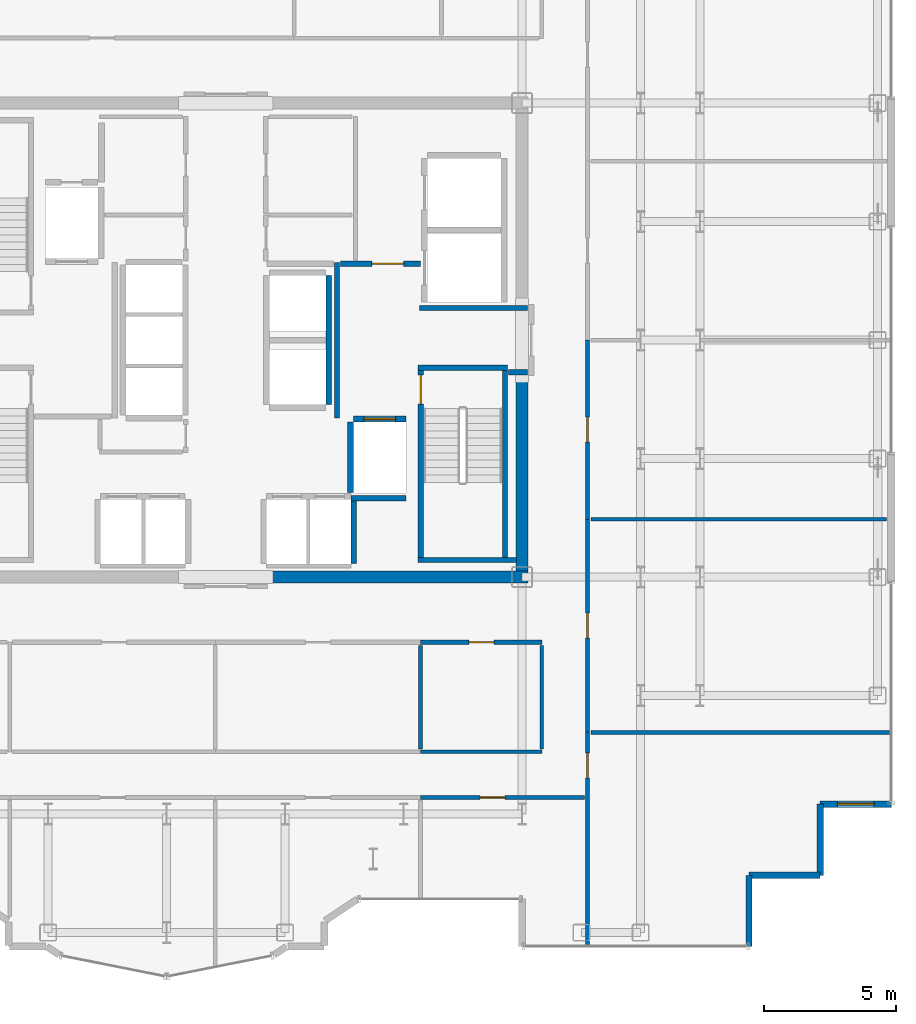
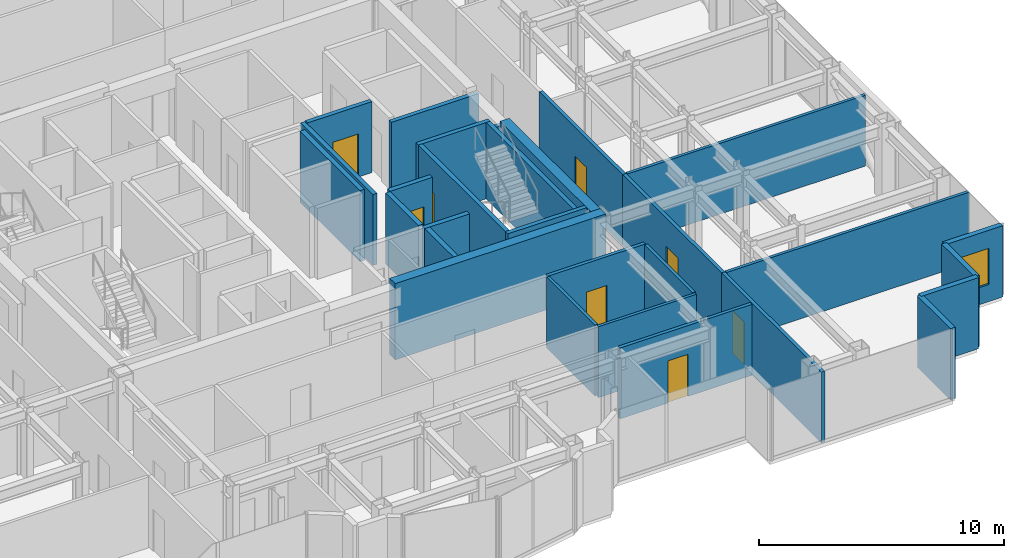
# One storey, part 16 of 21: 29 walls, 8 doors, 1 window, 9 openings.
"""IFC4 building model written with IfcOpenShell, lengths in metres."""

from ifc_helpers import new_model, si_unit, direction, frame, frame_2d, origin, place, context, subcontext, project, spatial, rectangle, extrude, source, transform, mapped, material, layer, layer_set, type_object, element, fill, save


model = new_model("IFC4")

# Units and contexts
model_context = context("Model", 3, precision=1e-05, world=origin(), true_north=direction((0.0, 1.0)))
body_context = subcontext(model_context, "Body", "Model", "MODEL_VIEW")
ifc_project = project(units=[si_unit("LENGTHUNIT", "METRE"), si_unit("AREAUNIT", "SQUARE_METRE"), si_unit("VOLUMEUNIT", "CUBIC_METRE"), si_unit("PLANEANGLEUNIT", "RADIAN"), si_unit("MASSUNIT", "GRAM", prefix="KILO")], contexts=[model_context])

# Site, building, storey
site_placement = place(None, origin())
site = spatial("IfcSite", under=ifc_project, at=site_placement, CompositionType="ELEMENT")
building_placement = place(site_placement, origin())
building = spatial("IfcBuilding", under=site, at=building_placement, Name="Nefas-Gora Pilgrimage Tower", CompositionType="ELEMENT")
storey_placement = place(building_placement, frame((0.0, 0.0, 206.60009765625)))
storey = spatial("IfcBuildingStorey", under=building, at=storey_placement, Name="L51", CompositionType="ELEMENT", Elevation=206.60009765625)

# Walls
ifc_material_1 = material(Name="Concrete C50/60", Category="concrete")
ifc_layer_1 = layer(ifc_material_1, 0.449951171875)
ifc_layer_set_1 = layer_set([ifc_layer_1], Name="Concrete C50/60")
wall_type_1 = type_object("IfcWallType", Name="SW-CORE-450", PredefinedType="SHEAR", material=ifc_layer_set_1)
shared_shape_1 = source(origin(), body_context, "Body", "SweptSolid", [
    extrude(rectangle(XDim=9.925048828125, YDim=0.449951171875, at=frame_2d((4.96240234375, 0.0))), origin(), (0.0, 0.0, 1.0), 3.7998046875),
])
wall_1_placement = place(storey_placement, frame((1.550048828125, -9.0, 0.0), z_axis=(0.0, 0.0, 1.0), x_axis=(1.0, 0.0, 0.0)))
element("IfcWall", 1, at=wall_1_placement, inside=storey, type_object=wall_type_1, Name="L51 Core Shear Wall S-East", PredefinedType="SHEAR", context=body_context, shape_type="MappedRepresentation", body=[
    mapped(shared_shape_1, transform((0.0, 0.0, 0.0), x_axis=(1.0, 0.0, 0.0), y_axis=(0.0, 1.0, 0.0), z_axis=(0.0, 0.0, 1.0), scale=1.0)),
])
shared_shape_2 = source(origin(), body_context, "Body", "SweptSolid", [
    extrude(rectangle(XDim=7.4248046875, YDim=0.449951171875, at=frame_2d((3.71240234375, 0.0))), origin(), (0.0, 0.0, 1.0), 3.7998046875),
])
wall_2_placement = place(storey_placement, frame((11.25, -8.77490234375, 0.0), z_axis=(0.0, 0.0, 1.0), x_axis=(0.0, 1.0, 0.0)))
element("IfcWall", 2, at=wall_2_placement, inside=storey, type_object=wall_type_1, Name="L51 Core Shear Wall E-South", PredefinedType="SHEAR", context=body_context, shape_type="MappedRepresentation", body=[
    mapped(shared_shape_2, transform((0.0, 0.0, 0.0), x_axis=(1.0, 0.0, 0.0), y_axis=(0.0, 1.0, 0.0), z_axis=(0.0, 0.0, 1.0), scale=1.0)),
])
ifc_material_2 = material(Name="Precast concrete C45/55", Category="concrete")
ifc_layer_2 = layer(ifc_material_2, 0.239990234375)
ifc_layer_set_2 = layer_set([ifc_layer_2], Name="Precast concrete C45/55")
wall_type_2 = type_object("IfcWallType", Name="EW-SERR-240", PredefinedType="SHEAR", material=ifc_layer_set_2)
shared_shape_3 = source(origin(), body_context, "Body", "SweptSolid", [
    extrude(rectangle(XDim=2.699951171875, YDim=0.239990234375, at=frame_2d((1.35009765625, 0.0))), origin(), (0.0, 0.0, 1.0), 3.5498046875),
])
for number, where, z_axis, x_axis, name in (
    (3, (19.8701171875, -23.02001953125, 0.0), (0.0, 0.0, 1.0), (0.0, 1.0, 0.0), "L51 Serrated Corner Shear Pier Wall 6"),
    (4, (19.8701171875, -20.320068359375, 0.0), (0.0, 0.0, 1.0), (1.0, 0.0, 0.0), "L51 Serrated Corner Shear Pier Wall 7"),
    (5, (22.570068359375, -20.320068359375, 0.0), (0.0, 0.0, 1.0), (0.0, 1.0, 0.0), "L51 Serrated Corner Shear Pier Wall 8"),
):
    element("IfcWall", number, at=place(storey_placement, frame(where, z_axis=z_axis, x_axis=x_axis)), inside=storey, type_object=wall_type_2, Name=name, PredefinedType="SHEAR", context=body_context, shape_type="MappedRepresentation", body=[
        mapped(shared_shape_3, transform((0.0, 0.0, 0.0), x_axis=(1.0, 0.0, 0.0), y_axis=(0.0, 1.0, 0.0), z_axis=(0.0, 0.0, 1.0), scale=1.0)),
    ])

# Wall, opening, window
wall_3_placement = place(storey_placement, frame((22.570068359375, -17.6201171875, 0.0), z_axis=(0.0, 0.0, 1.0), x_axis=(1.0, 0.0, 0.0)))
wall_3 = element("IfcWall", 6, at=wall_3_placement, inside=storey, type_object=wall_type_2, Name="L51 Serrated Corner Shear Pier Wall 9", PredefinedType="SHEAR", context=body_context, shape_type="MappedRepresentation", body=[
    mapped(shared_shape_3, transform((0.0, 0.0, 0.0), x_axis=(1.0, 0.0, 0.0), y_axis=(0.0, 1.0, 0.0), z_axis=(0.0, 0.0, 1.0), scale=1.0)),
])
opening_1_placement = place(wall_3_placement, frame((0.64990234375, 0.0, 0.85009765625)))
opening_1 = element("IfcOpeningElement", 7, at=opening_1_placement, cuts=wall_3, Name="Opening W-V2", PredefinedType="OPENING", context=body_context, shape_type="SweptSolid", body=[
    extrude(rectangle(XDim=1.39990234375, YDim=1.800048828125, at=frame_2d((0.699951171875, 0.89990234375))), frame((0.0, 0.1298828125, 0.0), z_axis=(0.0, -1.0, 0.0), x_axis=(1.0, 0.0, 0.0)), (0.0, 0.0, 1.0), 0.260009765625),
])
ifc_material_3 = material(Name="Dark ceramic-fritted operable aluminium-glass window", Category="aluminium")
window_type = type_object("IfcWindowType", Name="WIN-VENT-1400x1800", PartitioningType="SINGLE_PANEL", PredefinedType="WINDOW", material=ifc_material_3)
shared_shape_4 = source(origin(), body_context, "Body", "SweptSolid", [
    extrude(rectangle(XDim=1.39990234375, YDim=1.800048828125, at=frame_2d((0.699951171875, 0.89990234375))), frame((0.0, 0.030029296875, 0.0), z_axis=(0.0, -1.0, 0.0), x_axis=(1.0, 0.0, 0.0)), (0.0, 0.0, 1.0), 0.06005859375),
])
window_placement = place(opening_1_placement, origin())
window = element("IfcWindow", 8, at=window_placement, inside=storey, type_object=window_type, Name="L51 Operable Parallel-Outswing Window 9", OverallHeight=1.800048828125, OverallWidth=1.39990234375, PartitioningType="SINGLE_PANEL", PredefinedType="WINDOW", context=body_context, shape_type="MappedRepresentation", body=[
    mapped(shared_shape_4, transform((0.0, 0.0, 0.0), x_axis=(1.0, 0.0, 0.0), y_axis=(0.0, 1.0, 0.0), z_axis=(0.0, 0.0, 1.0), scale=1.0)),
])
fill(opening_1, window)

# Wall
ifc_material_4 = material(Name="Concrete C45/55", Category="concrete")
ifc_layer_3 = layer(ifc_material_4, 0.199951171875)
ifc_layer_set_3 = layer_set([ifc_layer_3], Name="Concrete C45/55")
wall_type_3 = type_object("IfcWallType", Name="IW-STAIR-200", PredefinedType="SOLIDWALL", material=ifc_layer_set_3)
shared_shape_5 = source(origin(), body_context, "Body", "SweptSolid", [
    extrude(rectangle(XDim=3.39990234375, YDim=0.199951171875, at=frame_2d((1.699951171875, 0.0))), origin(), (0.0, 0.0, 1.0), 3.7998046875),
])
wall_4_placement = place(storey_placement, frame((7.300048828125, -1.050048828125, 0.0), z_axis=(0.0, 0.0, 1.0), x_axis=(1.0, 0.0, 0.0)))
element("IfcWall", 9, at=wall_4_placement, inside=storey, type_object=wall_type_3, Name="L51 Stairwell Shear Wall ST-02-near", PredefinedType="SOLIDWALL", context=body_context, shape_type="MappedRepresentation", body=[
    mapped(shared_shape_5, transform((0.0, 0.0, 0.0), x_axis=(1.0, 0.0, 0.0), y_axis=(0.0, 1.0, 0.0), z_axis=(0.0, 0.0, 1.0), scale=1.0)),
])

# Wall, opening, door
shared_shape_6 = source(origin(), body_context, "Body", "SweptSolid", [
    extrude(rectangle(XDim=7.10009765625, YDim=0.199951171875, at=frame_2d((3.550048828125, 0.0))), origin(), (0.0, 0.0, 1.0), 3.7998046875),
])
wall_5_placement = place(storey_placement, frame((7.39990234375, -1.14990234375, 0.0), z_axis=(0.0, 0.0, 1.0), x_axis=(0.0, -1.0, 0.0)))
wall_5 = element("IfcWall", 10, at=wall_5_placement, inside=storey, type_object=wall_type_3, Name="L51 Stairwell Shear Wall ST-02-left", PredefinedType="SOLIDWALL", context=body_context, shape_type="MappedRepresentation", body=[
    mapped(shared_shape_6, transform((0.0, 0.0, 0.0), x_axis=(1.0, 0.0, 0.0), y_axis=(0.0, 1.0, 0.0), z_axis=(0.0, 0.0, 1.0), scale=1.0)),
])
opening_2_placement = place(wall_5_placement, frame((0.179931640625, 0.0, 0.0)))
opening_2 = element("IfcOpeningElement", 11, at=opening_2_placement, cuts=wall_5, Name="Opening ID-ST1", PredefinedType="OPENING", context=body_context, shape_type="SweptSolid", body=[
    extrude(rectangle(XDim=1.10009765625, YDim=2.14990234375, at=frame_2d((0.550048828125, 1.074951171875))), frame((0.0, 0.10986328125, 0.0), z_axis=(0.0, -1.0, 0.0), x_axis=(1.0, 0.0, 0.0)), (0.0, 0.0, 1.0), 0.219970703125),
])
ifc_material_5 = material(Name="Painted galvanised steel fire stair door", Category="steel")
door_type_1 = type_object("IfcDoorType", Name="DR-INT-STAIR-1100", OperationType="NOTDEFINED", PredefinedType="DOOR", material=ifc_material_5)
shared_shape_7 = source(origin(), body_context, "Body", "SweptSolid", [
    extrude(rectangle(XDim=1.10009765625, YDim=2.14990234375, at=frame_2d((0.550048828125, 1.074951171875))), frame((0.0, 0.02490234375, 0.0), z_axis=(0.0, -1.0, 0.0), x_axis=(1.0, 0.0, 0.0)), (0.0, 0.0, 1.0), 0.050048828125),
])
door_1_placement = place(opening_2_placement, origin())
door_1 = element("IfcDoor", 12, at=door_1_placement, inside=storey, type_object=door_type_1, Name="L51 Protected Exit Stair Door ST-02", OperationType="SINGLE_SWING_RIGHT", OverallHeight=2.14990234375, OverallWidth=1.10009765625, PredefinedType="DOOR", context=body_context, shape_type="MappedRepresentation", body=[
    mapped(shared_shape_7, transform((0.0, 0.0, 0.0), x_axis=(1.0, 0.0, 0.0), y_axis=(0.0, 1.0, 0.0), z_axis=(0.0, 0.0, 1.0), scale=1.0)),
])
fill(opening_2, door_1)

# Walls
wall_6_placement = place(storey_placement, frame((10.60009765625, -1.14990234375, 0.0), z_axis=(0.0, 0.0, 1.0), x_axis=(0.0, -1.0, 0.0)))
element("IfcWall", 13, at=wall_6_placement, inside=storey, type_object=wall_type_3, Name="L51 Stairwell Shear Wall ST-02-right", PredefinedType="SOLIDWALL", context=body_context, shape_type="MappedRepresentation", body=[
    mapped(shared_shape_6, transform((0.0, 0.0, 0.0), x_axis=(1.0, 0.0, 0.0), y_axis=(0.0, 1.0, 0.0), z_axis=(0.0, 0.0, 1.0), scale=1.0)),
])
shared_shape_8 = source(origin(), body_context, "Body", "SweptSolid", [
    extrude(rectangle(XDim=3.72998046875, YDim=0.199951171875, at=frame_2d((1.864990234375, 0.0))), origin(), (0.0, 0.0, 1.0), 3.7998046875),
])
wall_7_placement = place(storey_placement, frame((7.300048828125, -8.35009765625, 0.0), z_axis=(0.0, 0.0, 1.0), x_axis=(1.0, 0.0, 0.0)))
element("IfcWall", 14, at=wall_7_placement, inside=storey, type_object=wall_type_3, Name="L51 Stairwell Shear Wall ST-02-far", PredefinedType="SOLIDWALL", context=body_context, shape_type="MappedRepresentation", body=[
    mapped(shared_shape_8, transform((0.0, 0.0, 0.0), x_axis=(1.0, 0.0, 0.0), y_axis=(0.0, 1.0, 0.0), z_axis=(0.0, 0.0, 1.0), scale=1.0)),
])

# Wall, opening, door
ifc_material_6 = material(Name="Concrete C40/50", Category="concrete")
ifc_layer_4 = layer(ifc_material_6, 0.219970703125)
ifc_layer_set_4 = layer_set([ifc_layer_4], Name="Concrete C40/50")
wall_type_4 = type_object("IfcWallType", Name="IW-SHAFT-220", PredefinedType="SOLIDWALL", material=ifc_layer_set_4)
shared_shape_9 = source(origin(), body_context, "Body", "SweptSolid", [
    extrude(rectangle(XDim=2.0, YDim=0.219970703125, at=frame_2d((1.0, 0.0))), origin(), (0.0, 0.0, 1.0), 3.534912109375),
])
wall_8_placement = place(storey_placement, frame((6.85009765625, -2.989990234375, 0.0), z_axis=(0.0, 0.0, 1.0), x_axis=(-1.0, 0.0, 0.0)))
wall_8 = element("IfcWall", 15, at=wall_8_placement, inside=storey, type_object=wall_type_4, Name="L51 Hoistway Wall FFL-02-N", PredefinedType="SOLIDWALL", context=body_context, shape_type="MappedRepresentation", body=[
    mapped(shared_shape_9, transform((0.0, 0.0, 0.0), x_axis=(1.0, 0.0, 0.0), y_axis=(0.0, 1.0, 0.0), z_axis=(0.0, 0.0, 1.0), scale=1.0)),
])
opening_3_placement = place(wall_8_placement, frame((0.39990234375, 0.0, 0.0)))
opening_3 = element("IfcOpeningElement", 16, at=opening_3_placement, cuts=wall_8, Name="Opening LD-FF", PredefinedType="OPENING", context=body_context, shape_type="SweptSolid", body=[
    extrude(rectangle(XDim=1.199951171875, YDim=2.199951171875, at=frame_2d((0.60009765625, 1.10009765625))), frame((0.0, 0.119873046875, 0.0), z_axis=(0.0, -1.0, 0.0), x_axis=(1.0, 0.0, 0.0)), (0.0, 0.0, 1.0), 0.239990234375),
])
ifc_material_7 = material(Name="Fire-service sliding lift landing door")
door_type_2 = type_object("IfcDoorType", Name="DR-LIFT-FSAE-1200", OperationType="SLIDING_TO_LEFT", PredefinedType="DOOR", material=ifc_material_7)
shared_shape_10 = source(origin(), body_context, "Body", "SweptSolid", [
    extrude(rectangle(XDim=1.199951171875, YDim=2.199951171875, at=frame_2d((0.60009765625, 1.10009765625))), frame((0.0, 0.02490234375, 0.0), z_axis=(0.0, -1.0, 0.0), x_axis=(1.0, 0.0, 0.0)), (0.0, 0.0, 1.0), 0.050048828125),
])
door_2_placement = place(opening_3_placement, origin())
door_2 = element("IfcDoor", 17, at=door_2_placement, inside=storey, type_object=door_type_2, Name="L51 Sliding Lift Landing Door FFL-02", OperationType="SLIDING_TO_LEFT", OverallHeight=2.199951171875, OverallWidth=1.199951171875, PredefinedType="DOOR", context=body_context, shape_type="MappedRepresentation", body=[
    mapped(shared_shape_10, transform((0.0, 0.0, 0.0), x_axis=(1.0, 0.0, 0.0), y_axis=(0.0, 1.0, 0.0), z_axis=(0.0, 0.0, 1.0), scale=1.0)),
])
fill(opening_3, door_2)

# Walls
shared_shape_11 = source(origin(), body_context, "Body", "SweptSolid", [
    extrude(rectangle(XDim=2.679931640625, YDim=0.219970703125, at=frame_2d((1.33984375, 0.0))), origin(), (0.0, 0.0, 1.0), 3.534912109375),
])
wall_9_placement = place(storey_placement, frame((4.739990234375, -3.110107421875, 0.0), z_axis=(0.0, 0.0, 1.0), x_axis=(0.0, -1.0, 0.0)))
element("IfcWall", 18, at=wall_9_placement, inside=storey, type_object=wall_type_4, Name="L51 Hoistway Wall FFL-02-W", PredefinedType="SOLIDWALL", context=body_context, shape_type="MappedRepresentation", body=[
    mapped(shared_shape_11, transform((0.0, 0.0, 0.0), x_axis=(1.0, 0.0, 0.0), y_axis=(0.0, 1.0, 0.0), z_axis=(0.0, 0.0, 1.0), scale=1.0)),
])
shared_shape_12 = source(origin(), body_context, "Body", "SweptSolid", [
    extrude(rectangle(XDim=2.429931640625, YDim=0.219970703125, at=frame_2d((1.21484375, 0.0))), origin(), (0.0, 0.0, 1.0), 3.534912109375),
])
wall_10_placement = place(storey_placement, frame((4.860107421875, -8.489990234375, 0.0), z_axis=(0.0, 0.0, 1.0), x_axis=(0.0, 1.0, 0.0)))
element("IfcWall", 19, at=wall_10_placement, inside=storey, type_object=wall_type_4, Name="L51 Hoistway Wall PL2-E-E", PredefinedType="SOLIDWALL", context=body_context, shape_type="MappedRepresentation", body=[
    mapped(shared_shape_12, transform((0.0, 0.0, 0.0), x_axis=(1.0, 0.0, 0.0), y_axis=(0.0, 1.0, 0.0), z_axis=(0.0, 0.0, 1.0), scale=1.0)),
])
shared_shape_13 = source(origin(), body_context, "Body", "SweptSolid", [
    extrude(rectangle(XDim=4.89990234375, YDim=0.219970703125, at=frame_2d((2.449951171875, 0.0))), origin(), (0.0, 0.0, 1.0), 3.534912109375),
])
wall_11_placement = place(storey_placement, frame((3.909912109375, -2.449951171875, 0.0), z_axis=(0.0, 0.0, 1.0), x_axis=(0.0, 1.0, 0.0)))
element("IfcWall", 20, at=wall_11_placement, inside=storey, type_object=wall_type_4, Name="L51 Hoistway Wall OBS-01-02-E", PredefinedType="SOLIDWALL", context=body_context, shape_type="MappedRepresentation", body=[
    mapped(shared_shape_13, transform((0.0, 0.0, 0.0), x_axis=(1.0, 0.0, 0.0), y_axis=(0.0, 1.0, 0.0), z_axis=(0.0, 0.0, 1.0), scale=1.0)),
])
shared_shape_14 = source(origin(), body_context, "Body", "SweptSolid", [
    extrude(rectangle(XDim=2.09521484375, YDim=0.219970703125, at=frame_2d((1.047607421875, 0.0))), origin(), (0.0, 0.0, 1.0), 3.534912109375),
])
wall_12_placement = place(storey_placement, frame((4.7548828125, -6.0, 0.0), z_axis=(0.0, 0.0, 1.0), x_axis=(1.0, 0.0, 0.0)))
element("IfcWall", 21, at=wall_12_placement, inside=storey, type_object=wall_type_4, Name="L51 Riser Shaft Wall 3", PredefinedType="SOLIDWALL", context=body_context, shape_type="MappedRepresentation", body=[
    mapped(shared_shape_14, transform((0.0, 0.0, 0.0), x_axis=(1.0, 0.0, 0.0), y_axis=(0.0, 1.0, 0.0), z_axis=(0.0, 0.0, 1.0), scale=1.0)),
])
ifc_material_8 = material(Name="Gypsum fire-rated shaftwall")
ifc_layer_5 = layer(ifc_material_8, 0.199951171875)
ifc_layer_set_5 = layer_set([ifc_layer_5], Name="Gypsum fire-rated shaftwall")
wall_type_5 = type_object("IfcWallType", Name="IW-FFLOB-200", PredefinedType="PARTITIONING", material=ifc_layer_set_5)
shared_shape_15 = source(origin(), body_context, "Body", "SweptSolid", [
    extrude(rectangle(XDim=5.89990234375, YDim=0.199951171875, at=frame_2d((2.949951171875, 0.0))), origin(), (0.0, 0.0, 1.0), 3.534912109375),
])
wall_13_placement = place(storey_placement, frame((4.219970703125, -2.949951171875, 0.0), z_axis=(0.0, 0.0, 1.0), x_axis=(0.0, 1.0, 0.0)))
element("IfcWall", 22, at=wall_13_placement, inside=storey, type_object=wall_type_5, Name="L51 FF Lobby East Inner Wall Wall 10", PredefinedType="PARTITIONING", context=body_context, shape_type="MappedRepresentation", body=[
    mapped(shared_shape_15, transform((0.0, 0.0, 0.0), x_axis=(1.0, 0.0, 0.0), y_axis=(0.0, 1.0, 0.0), z_axis=(0.0, 0.0, 1.0), scale=1.0)),
])
shared_shape_16 = source(origin(), body_context, "Body", "SweptSolid", [
    extrude(rectangle(XDim=0.719970703125, YDim=0.199951171875, at=frame_2d((0.35986328125, 0.0))), origin(), (0.0, 0.0, 1.0), 3.534912109375),
])
wall_14_placement = place(storey_placement, frame((10.739990234375, -1.219970703125, 0.0), z_axis=(0.0, 0.0, 1.0), x_axis=(1.0, 0.0, 0.0)))
element("IfcWall", 23, at=wall_14_placement, inside=storey, type_object=wall_type_5, Name="L51 FF Lobby East Throat S Wall 14", PredefinedType="PARTITIONING", context=body_context, shape_type="MappedRepresentation", body=[
    mapped(shared_shape_16, transform((0.0, 0.0, 0.0), x_axis=(1.0, 0.0, 0.0), y_axis=(0.0, 1.0, 0.0), z_axis=(0.0, 0.0, 1.0), scale=1.0)),
])

# Wall, opening, door
shared_shape_17 = source(origin(), body_context, "Body", "SweptSolid", [
    extrude(rectangle(XDim=3.039794921875, YDim=0.199951171875, at=frame_2d((1.52001953125, 0.0))), origin(), (0.0, 0.0, 1.0), 3.534912109375),
])
wall_15_placement = place(storey_placement, frame((4.360107421875, 2.89990234375, 0.0), z_axis=(0.0, 0.0, 1.0), x_axis=(1.0, 0.0, 0.0)))
wall_15 = element("IfcWall", 24, at=wall_15_placement, inside=storey, type_object=wall_type_5, Name="L51 FF Lobby East North Wall Wall 12", PredefinedType="PARTITIONING", context=body_context, shape_type="MappedRepresentation", body=[
    mapped(shared_shape_17, transform((0.0, 0.0, 0.0), x_axis=(1.0, 0.0, 0.0), y_axis=(0.0, 1.0, 0.0), z_axis=(0.0, 0.0, 1.0), scale=1.0)),
])
opening_4_placement = place(wall_15_placement, frame((1.18994140625, 0.0, 0.0)))
opening_4 = element("IfcOpeningElement", 25, at=opening_4_placement, cuts=wall_15, Name="Opening ID-PL1", PredefinedType="OPENING", context=body_context, shape_type="SweptSolid", body=[
    extrude(rectangle(XDim=1.199951171875, YDim=2.14990234375, at=frame_2d((0.60009765625, 1.074951171875))), frame((0.0, 0.10986328125, 0.0), z_axis=(0.0, -1.0, 0.0), x_axis=(1.0, 0.0, 0.0)), (0.0, 0.0, 1.0), 0.219970703125),
])
ifc_material_9 = material(Name="Heavy-duty steel plant room fire door", Category="steel")
door_type_3 = type_object("IfcDoorType", Name="DR-INT-PLANT-1200", OperationType="NOTDEFINED", PredefinedType="DOOR", material=ifc_material_9)
shared_shape_18 = source(origin(), body_context, "Body", "SweptSolid", [
    extrude(rectangle(XDim=1.199951171875, YDim=2.14990234375, at=frame_2d((0.60009765625, 1.074951171875))), frame((0.0, 0.02490234375, 0.0), z_axis=(0.0, -1.0, 0.0), x_axis=(1.0, 0.0, 0.0)), (0.0, 0.0, 1.0), 0.050048828125),
])
door_3_placement = place(opening_4_placement, origin())
door_3 = element("IfcDoor", 26, at=door_3_placement, inside=storey, type_object=door_type_3, Name="L51 Service Lift Lobby Door Door 4", OperationType="SINGLE_SWING_RIGHT", OverallHeight=2.14990234375, OverallWidth=1.199951171875, PredefinedType="DOOR", context=body_context, shape_type="MappedRepresentation", body=[
    mapped(shared_shape_18, transform((0.0, 0.0, 0.0), x_axis=(1.0, 0.0, 0.0), y_axis=(0.0, 1.0, 0.0), z_axis=(0.0, 0.0, 1.0), scale=1.0)),
])
fill(opening_4, door_3)

# Wall
shared_shape_19 = source(origin(), body_context, "Body", "SweptSolid", [
    extrude(rectangle(XDim=4.10986328125, YDim=0.199951171875, at=frame_2d((2.054931640625, 0.0))), origin(), (0.0, 0.0, 1.0), 3.534912109375),
])
wall_16_placement = place(storey_placement, frame((7.35009765625, 1.219970703125, 0.0), z_axis=(0.0, 0.0, 1.0), x_axis=(1.0, 0.0, 0.0)))
element("IfcWall", 27, at=wall_16_placement, inside=storey, type_object=wall_type_5, Name="L51 FF Lobby East Throat N Wall 13", PredefinedType="PARTITIONING", context=body_context, shape_type="MappedRepresentation", body=[
    mapped(shared_shape_19, transform((0.0, 0.0, 0.0), x_axis=(1.0, 0.0, 0.0), y_axis=(0.0, 1.0, 0.0), z_axis=(0.0, 0.0, 1.0), scale=1.0)),
])

# Wall, opening, door
ifc_material_10 = material(Name="Gypsum acoustic stud partition")
ifc_layer_6 = layer(ifc_material_10, 0.159912109375)
ifc_layer_set_6 = layer_set([ifc_layer_6], Name="Gypsum acoustic stud partition")
wall_type_6 = type_object("IfcWallType", Name="IW-CORR-160", PredefinedType="PARTITIONING", material=ifc_layer_set_6)
shared_shape_20 = source(origin(), body_context, "Body", "SweptSolid", [
    extrude(rectangle(XDim=6.22509765625, YDim=0.159912109375, at=frame_2d((3.112548828125, 0.0))), origin(), (0.0, 0.0, 1.0), 3.534912109375),
])
wall_17_placement = place(storey_placement, frame((7.39501953125, -17.3701171875, 0.0), z_axis=(0.0, 0.0, 1.0), x_axis=(1.0, 0.0, 0.0)))
wall_17 = element("IfcWall", 28, at=wall_17_placement, inside=storey, type_object=wall_type_6, Name="L51 Pilgrim Contemplative Lounge Partition Wall 88", PredefinedType="PARTITIONING", context=body_context, shape_type="MappedRepresentation", body=[
    mapped(shared_shape_20, transform((0.0, 0.0, 0.0), x_axis=(1.0, 0.0, 0.0), y_axis=(0.0, 1.0, 0.0), z_axis=(0.0, 0.0, 1.0), scale=1.0)),
])
opening_5_placement = place(wall_17_placement, frame((2.26025390625, 0.0, 0.0)))
opening_5 = element("IfcOpeningElement", 29, at=opening_5_placement, cuts=wall_17, Name="Opening ID-GR1", PredefinedType="OPENING", context=body_context, shape_type="SweptSolid", body=[
    extrude(rectangle(XDim=0.949951171875, YDim=2.10009765625, at=frame_2d((0.47509765625, 1.050048828125))), frame((0.0, 0.08984375, 0.0), z_axis=(0.0, -1.0, 0.0), x_axis=(1.0, 0.0, 0.0)), (0.0, 0.0, 1.0), 0.179931640625),
])
ifc_material_11 = material(Name="Solid core oak fire-rated guest entrance door")
door_type_4 = type_object("IfcDoorType", Name="DR-INT-GUEST-950", OperationType="NOTDEFINED", PredefinedType="DOOR", material=ifc_material_11)
shared_shape_21 = source(origin(), body_context, "Body", "SweptSolid", [
    extrude(rectangle(XDim=0.949951171875, YDim=2.10009765625, at=frame_2d((0.47509765625, 1.050048828125))), frame((0.0, 0.02490234375, 0.0), z_axis=(0.0, -1.0, 0.0), x_axis=(1.0, 0.0, 0.0)), (0.0, 0.0, 1.0), 0.050048828125),
])
door_4_placement = place(opening_5_placement, origin())
door_4 = element("IfcDoor", 30, at=door_4_placement, inside=storey, type_object=door_type_4, Name="L51 Pilgrim Contemplative Lounge Door 39", OperationType="SINGLE_SWING_LEFT", OverallHeight=2.10009765625, OverallWidth=0.949951171875, PredefinedType="DOOR", context=body_context, shape_type="MappedRepresentation", body=[
    mapped(shared_shape_21, transform((0.0, 0.0, 0.0), x_axis=(1.0, 0.0, 0.0), y_axis=(0.0, 1.0, 0.0), z_axis=(0.0, 0.0, 1.0), scale=1.0)),
])
fill(opening_5, door_4)

# Walls
ifc_material_12 = material(Name="Gypsum twin-stud partition")
ifc_layer_7 = layer(ifc_material_12, 0.139892578125)
ifc_layer_set_7 = layer_set([ifc_layer_7], Name="Gypsum twin-stud partition")
wall_type_7 = type_object("IfcWallType", Name="IW-UNIT-140", PredefinedType="PARTITIONING", material=ifc_layer_set_7)
shared_shape_22 = source(origin(), body_context, "Body", "SweptSolid", [
    extrude(rectangle(XDim=11.429931640625, YDim=0.139892578125, at=frame_2d((5.71484375, 0.0))), origin(), (0.0, 0.0, 1.0), 3.534912109375),
])
wall_18_placement = place(storey_placement, frame((13.860107421875, -14.8974609375, 0.0), z_axis=(0.0, 0.0, 1.0), x_axis=(1.0, 0.0, 0.0)))
element("IfcWall", 31, at=wall_18_placement, inside=storey, type_object=wall_type_7, Name="L51 Pilgrim Fellowship Seminar Room Partition Wall 46", PredefinedType="PARTITIONING", context=body_context, shape_type="MappedRepresentation", body=[
    mapped(shared_shape_22, transform((0.0, 0.0, 0.0), x_axis=(1.0, 0.0, 0.0), y_axis=(0.0, 1.0, 0.0), z_axis=(0.0, 0.0, 1.0), scale=1.0)),
])
shared_shape_23 = source(origin(), body_context, "Body", "SweptSolid", [
    extrude(rectangle(XDim=11.219970703125, YDim=0.139892578125, at=frame_2d((5.60986328125, 0.0))), origin(), (0.0, 0.0, 1.0), 3.534912109375),
])
wall_19_placement = place(storey_placement, frame((13.860107421875, -6.804931640625, 0.0), z_axis=(0.0, 0.0, 1.0), x_axis=(1.0, 0.0, 0.0)))
element("IfcWall", 32, at=wall_19_placement, inside=storey, type_object=wall_type_7, Name="L51 Pilgrim Fellowship Seminar Room Partition Wall 48", PredefinedType="PARTITIONING", context=body_context, shape_type="MappedRepresentation", body=[
    mapped(shared_shape_23, transform((0.0, 0.0, 0.0), x_axis=(1.0, 0.0, 0.0), y_axis=(0.0, 1.0, 0.0), z_axis=(0.0, 0.0, 1.0), scale=1.0)),
])
shared_shape_24 = source(origin(), body_context, "Body", "SweptSolid", [
    extrude(rectangle(XDim=3.929931640625, YDim=0.139892578125, at=frame_2d((1.96484375, 0.0))), origin(), (0.0, 0.0, 1.0), 3.534912109375),
])
for number, where, z_axis, x_axis, name in (
    (33, (7.39501953125, -15.52001953125, 0.0), (0.0, 0.0, 1.0), (0.0, 1.0, 0.0), "L51 Pilgrim Contemplative Lounge Partition Wall 87"),
    (34, (12.0, -15.52001953125, 0.0), (0.0, 0.0, 1.0), (0.0, 1.0, 0.0), "L51 Pilgrim Contemplative Lounge Partition Wall 91"),
):
    element("IfcWall", number, at=place(storey_placement, frame(where, z_axis=z_axis, x_axis=x_axis)), inside=storey, type_object=wall_type_7, Name=name, PredefinedType="PARTITIONING", context=body_context, shape_type="MappedRepresentation", body=[
        mapped(shared_shape_24, transform((0.0, 0.0, 0.0), x_axis=(1.0, 0.0, 0.0), y_axis=(0.0, 1.0, 0.0), z_axis=(0.0, 0.0, 1.0), scale=1.0)),
    ])

# Wall, opening, door
shared_shape_25 = source(origin(), body_context, "Body", "SweptSolid", [
    extrude(rectangle(XDim=8.152587890625, YDim=0.159912109375, at=frame_2d((4.076171875, 0.0))), origin(), (0.0, 0.0, 1.0), 3.534912109375),
])
wall_20_placement = place(storey_placement, frame((13.739990234375, -23.0400390625, 0.0), z_axis=(0.0, 0.0, 1.0), x_axis=(0.0, 1.0, 0.0)))
wall_20 = element("IfcWall", 35, at=wall_20_placement, inside=storey, type_object=wall_type_6, Name="L51 Pilgrim Fellowship Seminar Room Partition Wall 45", PredefinedType="PARTITIONING", context=body_context, shape_type="MappedRepresentation", body=[
    mapped(shared_shape_25, transform((0.0, 0.0, 0.0), x_axis=(1.0, 0.0, 0.0), y_axis=(0.0, 1.0, 0.0), z_axis=(0.0, 0.0, 1.0), scale=1.0)),
])
opening_6_placement = place(wall_20_placement, frame((6.416259765625, 0.0, 0.0)))
opening_6 = element("IfcOpeningElement", 36, at=opening_6_placement, cuts=wall_20, Name="Opening ID-GR1", PredefinedType="OPENING", context=body_context, shape_type="SweptSolid", body=[
    extrude(rectangle(XDim=0.949951171875, YDim=2.10009765625, at=frame_2d((0.47509765625, 1.050048828125))), frame((0.0, 0.08984375, 0.0), z_axis=(0.0, -1.0, 0.0), x_axis=(1.0, 0.0, 0.0)), (0.0, 0.0, 1.0), 0.179931640625),
])
door_5_placement = place(opening_6_placement, origin())
door_5 = element("IfcDoor", 37, at=door_5_placement, inside=storey, type_object=door_type_4, Name="L51 Pilgrim Fellowship Seminar Room Door 20", OperationType="SINGLE_SWING_RIGHT", OverallHeight=2.10009765625, OverallWidth=0.949951171875, PredefinedType="DOOR", context=body_context, shape_type="MappedRepresentation", body=[
    mapped(shared_shape_21, transform((0.0, 0.0, 0.0), x_axis=(1.0, 0.0, 0.0), y_axis=(0.0, 1.0, 0.0), z_axis=(0.0, 0.0, 1.0), scale=1.0)),
])
fill(opening_6, door_5)

shared_shape_26 = source(origin(), body_context, "Body", "SweptSolid", [
    extrude(rectangle(XDim=8.092529296875, YDim=0.159912109375, at=frame_2d((4.04638671875, 0.0))), origin(), (0.0, 0.0, 1.0), 3.534912109375),
])
wall_21_placement = place(storey_placement, frame((13.739990234375, -14.887451171875, 0.0), z_axis=(0.0, 0.0, 1.0), x_axis=(0.0, 1.0, 0.0)))
wall_21 = element("IfcWall", 38, at=wall_21_placement, inside=storey, type_object=wall_type_6, Name="L51 Pilgrim Fellowship Seminar Room Partition Wall 47", PredefinedType="PARTITIONING", context=body_context, shape_type="MappedRepresentation", body=[
    mapped(shared_shape_26, transform((0.0, 0.0, 0.0), x_axis=(1.0, 0.0, 0.0), y_axis=(0.0, 1.0, 0.0), z_axis=(0.0, 0.0, 1.0), scale=1.0)),
])
opening_7_placement = place(wall_21_placement, frame((3.5712890625, 0.0, 0.0)))
opening_7 = element("IfcOpeningElement", 39, at=opening_7_placement, cuts=wall_21, Name="Opening ID-GR1", PredefinedType="OPENING", context=body_context, shape_type="SweptSolid", body=[
    extrude(rectangle(XDim=0.949951171875, YDim=2.10009765625, at=frame_2d((0.47509765625, 1.050048828125))), frame((0.0, 0.08984375, 0.0), z_axis=(0.0, -1.0, 0.0), x_axis=(1.0, 0.0, 0.0)), (0.0, 0.0, 1.0), 0.179931640625),
])
door_6_placement = place(opening_7_placement, origin())
door_6 = element("IfcDoor", 40, at=door_6_placement, inside=storey, type_object=door_type_4, Name="L51 Pilgrim Fellowship Seminar Room Door 21", OperationType="SINGLE_SWING_LEFT", OverallHeight=2.10009765625, OverallWidth=0.949951171875, PredefinedType="DOOR", context=body_context, shape_type="MappedRepresentation", body=[
    mapped(shared_shape_21, transform((0.0, 0.0, 0.0), x_axis=(1.0, 0.0, 0.0), y_axis=(0.0, 1.0, 0.0), z_axis=(0.0, 0.0, 1.0), scale=1.0)),
])
fill(opening_7, door_6)

shared_shape_27 = source(origin(), body_context, "Body", "SweptSolid", [
    extrude(rectangle(XDim=6.809814453125, YDim=0.159912109375, at=frame_2d((3.40478515625, 0.0))), origin(), (0.0, 0.0, 1.0), 3.534912109375),
])
wall_22_placement = place(storey_placement, frame((13.739990234375, -6.804931640625, 0.0), z_axis=(0.0, 0.0, 1.0), x_axis=(0.0, 1.0, 0.0)))
wall_22 = element("IfcWall", 41, at=wall_22_placement, inside=storey, type_object=wall_type_6, Name="L51 Pilgrim Contemplative Lounge Partition Wall 49", PredefinedType="PARTITIONING", context=body_context, shape_type="MappedRepresentation", body=[
    mapped(shared_shape_27, transform((0.0, 0.0, 0.0), x_axis=(1.0, 0.0, 0.0), y_axis=(0.0, 1.0, 0.0), z_axis=(0.0, 0.0, 1.0), scale=1.0)),
])
opening_8_placement = place(wall_22_placement, frame((2.929931640625, 0.0, 0.0)))
opening_8 = element("IfcOpeningElement", 42, at=opening_8_placement, cuts=wall_22, Name="Opening ID-GR1", PredefinedType="OPENING", context=body_context, shape_type="SweptSolid", body=[
    extrude(rectangle(XDim=0.949951171875, YDim=2.10009765625, at=frame_2d((0.47509765625, 1.050048828125))), frame((0.0, 0.08984375, 0.0), z_axis=(0.0, -1.0, 0.0), x_axis=(1.0, 0.0, 0.0)), (0.0, 0.0, 1.0), 0.179931640625),
])
door_7_placement = place(opening_8_placement, origin())
door_7 = element("IfcDoor", 43, at=door_7_placement, inside=storey, type_object=door_type_4, Name="L51 Pilgrim Contemplative Lounge Door 22", OperationType="SINGLE_SWING_RIGHT", OverallHeight=2.10009765625, OverallWidth=0.949951171875, PredefinedType="DOOR", context=body_context, shape_type="MappedRepresentation", body=[
    mapped(shared_shape_21, transform((0.0, 0.0, 0.0), x_axis=(1.0, 0.0, 0.0), y_axis=(0.0, 1.0, 0.0), z_axis=(0.0, 0.0, 1.0), scale=1.0)),
])
fill(opening_8, door_7)

shared_shape_28 = source(origin(), body_context, "Body", "SweptSolid", [
    extrude(rectangle(XDim=4.614990234375, YDim=0.159912109375, at=frame_2d((2.3076171875, 0.0))), origin(), (0.0, 0.0, 1.0), 3.534912109375),
])
wall_23_placement = place(storey_placement, frame((7.39501953125, -11.469970703125, 0.0), z_axis=(0.0, 0.0, 1.0), x_axis=(1.0, 0.0, 0.0)))
wall_23 = element("IfcWall", 44, at=wall_23_placement, inside=storey, type_object=wall_type_6, Name="L51 Pilgrim Contemplative Lounge Partition Wall 89", PredefinedType="PARTITIONING", context=body_context, shape_type="MappedRepresentation", body=[
    mapped(shared_shape_28, transform((0.0, 0.0, 0.0), x_axis=(1.0, 0.0, 0.0), y_axis=(0.0, 1.0, 0.0), z_axis=(0.0, 0.0, 1.0), scale=1.0)),
])
opening_9_placement = place(wall_23_placement, frame((1.83251953125, 0.0, 0.0)))
opening_9 = element("IfcOpeningElement", 45, at=opening_9_placement, cuts=wall_23, Name="Opening ID-GR1", PredefinedType="OPENING", context=body_context, shape_type="SweptSolid", body=[
    extrude(rectangle(XDim=0.949951171875, YDim=2.10009765625, at=frame_2d((0.47509765625, 1.050048828125))), frame((0.0, 0.08984375, 0.0), z_axis=(0.0, -1.0, 0.0), x_axis=(1.0, 0.0, 0.0)), (0.0, 0.0, 1.0), 0.179931640625),
])
door_8_placement = place(opening_9_placement, origin())
door_8 = element("IfcDoor", 46, at=door_8_placement, inside=storey, type_object=door_type_4, Name="L51 Pilgrim Contemplative Lounge Door 40", OperationType="SINGLE_SWING_RIGHT", OverallHeight=2.10009765625, OverallWidth=0.949951171875, PredefinedType="DOOR", context=body_context, shape_type="MappedRepresentation", body=[
    mapped(shared_shape_21, transform((0.0, 0.0, 0.0), x_axis=(1.0, 0.0, 0.0), y_axis=(0.0, 1.0, 0.0), z_axis=(0.0, 0.0, 1.0), scale=1.0)),
])
fill(opening_9, door_8)

# Wall
shared_shape_29 = source(origin(), body_context, "Body", "SweptSolid", [
    extrude(rectangle(XDim=4.614990234375, YDim=0.139892578125, at=frame_2d((2.3076171875, 0.0))), origin(), (0.0, 0.0, 1.0), 3.534912109375),
])
wall_24_placement = place(storey_placement, frame((7.39501953125, -15.6298828125, 0.0), z_axis=(0.0, 0.0, 1.0), x_axis=(1.0, 0.0, 0.0)))
element("IfcWall", 47, at=wall_24_placement, inside=storey, type_object=wall_type_7, Name="L51 Pilgrim Contemplative Lounge Partition Wall 90", PredefinedType="PARTITIONING", context=body_context, shape_type="MappedRepresentation", body=[
    mapped(shared_shape_29, transform((0.0, 0.0, 0.0), x_axis=(1.0, 0.0, 0.0), y_axis=(0.0, 1.0, 0.0), z_axis=(0.0, 0.0, 1.0), scale=1.0)),
])

save(model, "model.ifc")
